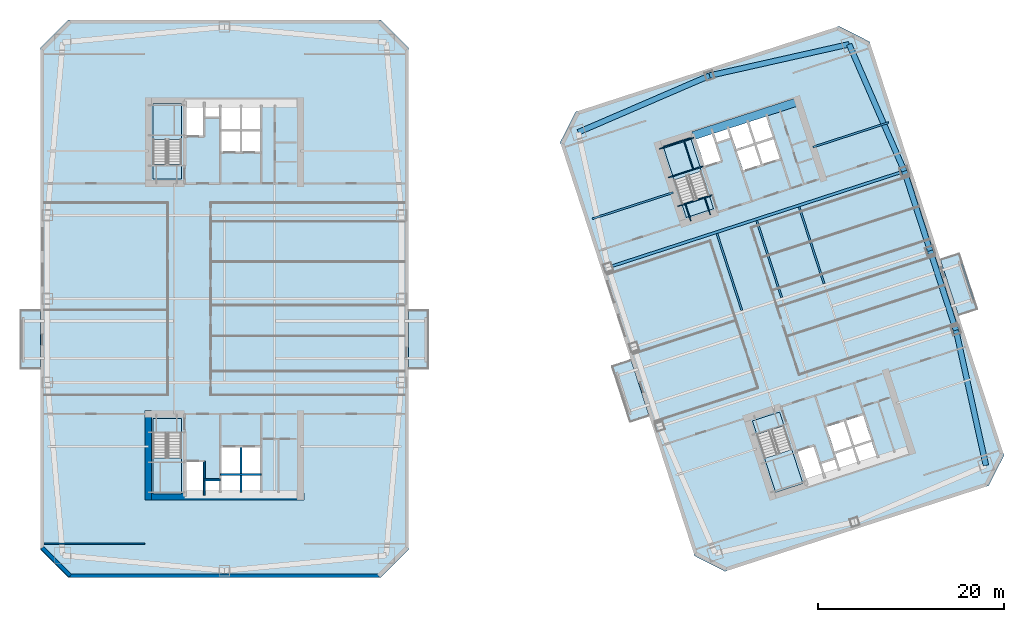
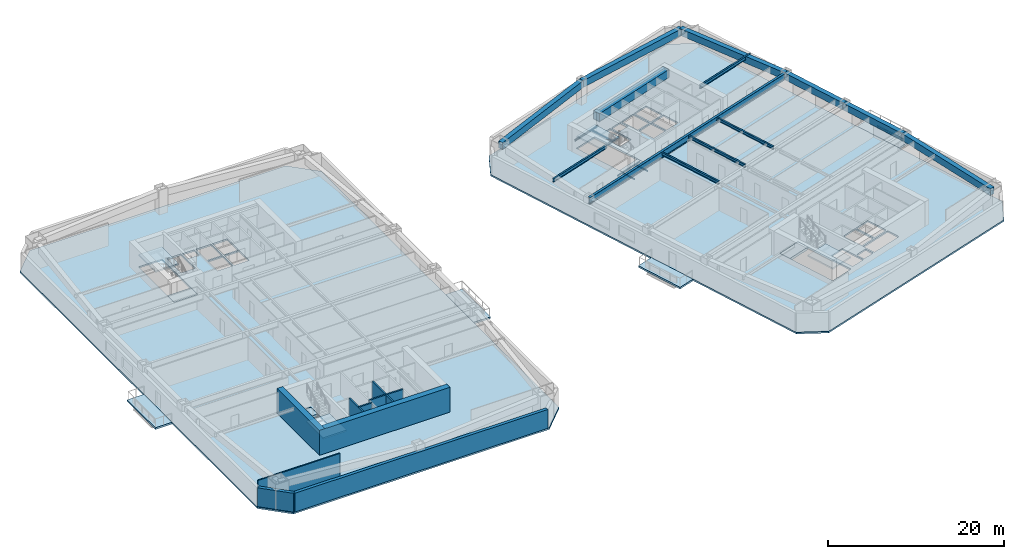
# One storey, part 4 of 15: 20 beams, 14 slabs, 9 walls, 4 elements without a shape of their own.
"""IFC4 building model written with IfcOpenShell, lengths in metres."""

import ifcopenshell
import ifcopenshell.guid

model = None  # the IFC model being written
_history = None  # IfcOwnerHistory: only IFC2X3 demands one
_inside = {}  # id of a spatial element -> (the spatial element, [elements in it])
_under = {}  # id of a project, library or spatial element -> (it, [spatial elements below it])
_declared = {}  # id of a project -> (the project, [libraries it declares])
_typed = {}  # id of a type object -> (the type object, [elements of that type])
_made_of = {}  # id of a material, layer set ... -> (it, [elements and type objects made of it])


def new_model(schema):
    """Start an empty IFC model of exactly this schema.

    Asked for "IFC4X3", IfcOpenShell would pick the latest addendum, in which some entities
    have other attributes; the version numbers below select the first issue.
    IFC2X3 requires an IfcOwnerHistory on every rooted entity: one is made here for all.
    """
    global model, _history
    if schema == "IFC4X3":
        model = ifcopenshell.file(schema_version=(4, 3, 0, 0))
    else:
        model = ifcopenshell.file(schema=schema)
    _inside.clear()
    _under.clear()
    _declared.clear()
    _typed.clear()
    _made_of.clear()
    _history = None
    if model.schema == "IFC2X3":
        org = make("IfcOrganization", Name="unknown")
        user = make(
            "IfcPersonAndOrganization",
            ThePerson=make("IfcPerson", FamilyName="unknown"),
            TheOrganization=org,
        )
        app = make(
            "IfcApplication",
            ApplicationDeveloper=org,
            Version="unknown",
            ApplicationFullName="unknown",
            ApplicationIdentifier="unknown",
        )
        _history = make(
            "IfcOwnerHistory",
            OwningUser=user,
            OwningApplication=app,
            ChangeAction="ADDED",
            CreationDate=0,
        )
    return model


def make(cls, **values):
    """One entity of the class cls with the attributes given. An attribute that is None is left unset."""
    return model.create_entity(
        cls, **{name: value for name, value in values.items() if value is not None}
    )


def rooted(cls, **values):
    """An entity with a GlobalId (a new one), such as an element, a storey or a relation."""
    return make(cls, GlobalId=ifcopenshell.guid.new(), OwnerHistory=_history, **values)


def si_unit(unit_type, name, prefix=None):
    """IfcSIUnit, for example si_unit("LENGTHUNIT", "METRE", prefix="MILLI")."""
    return make("IfcSIUnit", UnitType=unit_type, Prefix=prefix, Name=name)


def assignment(units):
    """IfcUnitAssignment: the units of a project."""
    return None if units is None else make("IfcUnitAssignment", Units=units)


def point(xyz):
    """IfcCartesianPoint."""
    return None if xyz is None else make("IfcCartesianPoint", Coordinates=xyz)


def direction(xyz):
    """IfcDirection."""
    return None if xyz is None else make("IfcDirection", DirectionRatios=xyz)


def frame(location, z_axis=None, x_axis=None):
    """IfcAxis2Placement3D, a coordinate frame: its origin and axes. An axis left out is left unset."""
    return make(
        "IfcAxis2Placement3D",
        Location=point(location),
        Axis=direction(z_axis),
        RefDirection=direction(x_axis),
    )


def frame_2d(location, x_axis=None):
    """IfcAxis2Placement2D, a coordinate frame in the plane: its origin and x axis."""
    return make(
        "IfcAxis2Placement2D", Location=point(location), RefDirection=direction(x_axis)
    )


def origin():
    """The frame at (0, 0, 0) with its axes left unset."""
    return frame((0.0, 0.0, 0.0))


def origin_2d():
    """The frame at (0, 0) in the plane with its x axis left unset."""
    return frame_2d((0.0, 0.0))


def place(relative_to, where):
    """IfcLocalPlacement: puts the frame where relative to a parent placement (None: the world)."""
    return make(
        "IfcLocalPlacement", PlacementRelTo=relative_to, RelativePlacement=where
    )


def context(
    kind, dimensions, precision=None, world=None, true_north=None, identifier=None
):
    """IfcGeometricRepresentationContext, for example the 3D "Model" context."""
    return make(
        "IfcGeometricRepresentationContext",
        ContextIdentifier=identifier,
        ContextType=kind,
        CoordinateSpaceDimension=dimensions,
        Precision=precision,
        WorldCoordinateSystem=world,
        TrueNorth=true_north,
    )


def subcontext(parent, identifier, kind, view, scale=None):
    """IfcGeometricRepresentationSubContext, for example "Body" below "Model"."""
    return make(
        "IfcGeometricRepresentationSubContext",
        ContextIdentifier=identifier,
        ContextType=kind,
        ParentContext=parent,
        TargetScale=scale,
        TargetView=view,
    )


def project(units=None, contexts=None):
    """IfcProject with its units and contexts."""
    return rooted(
        "IfcProject",
        Name="project",
        RepresentationContexts=contexts,
        UnitsInContext=assignment(units),
    )


def spatial(cls, under=None, at=None, **own):
    """A site, building, storey or space (cls), placed at a placement, below another one or the project."""
    s = rooted(cls, ObjectPlacement=at, **own)
    if under is not None:
        _under.setdefault(under.id(), (under, []))[1].append(s)
    return s


def polyline(points):
    """IfcPolyline through the points."""
    return make("IfcPolyline", Points=[point(p) for p in points])


def profile(cls, at=None, kind="AREA", **sizes):
    """A parametric profile (cls). Its sizes go by their IFC names, for example OverallWidth=200.0."""
    return make(cls, ProfileType=kind, Position=at, **sizes)


def rectangle(**sizes):
    """IfcRectangleProfileDef."""
    return profile("IfcRectangleProfileDef", **sizes)


def i_section(**sizes):
    """IfcIShapeProfileDef."""
    return profile("IfcIShapeProfileDef", **sizes)


def outline(outer, holes=None, kind="AREA"):
    """IfcArbitraryClosedProfileDef: a profile drawn as a closed curve; with holes, ...WithVoids."""
    if holes is None:
        return make("IfcArbitraryClosedProfileDef", ProfileType=kind, OuterCurve=outer)
    return make(
        "IfcArbitraryProfileDefWithVoids",
        ProfileType=kind,
        OuterCurve=outer,
        InnerCurves=holes,
    )


def extrude(swept, where, along, depth):
    """IfcExtrudedAreaSolid: the profile swept, set in the frame where, extruded along a direction by depth."""
    return make(
        "IfcExtrudedAreaSolid",
        SweptArea=swept,
        Position=where,
        ExtrudedDirection=direction(along),
        Depth=depth,
    )


def shape(context_of_items, identifier, shape_type, items):
    """IfcShapeRepresentation: the items that make up one representation, for example the "Body"."""
    return make(
        "IfcShapeRepresentation",
        ContextOfItems=context_of_items,
        RepresentationIdentifier=identifier,
        RepresentationType=shape_type,
        Items=items,
    )


def material(Name=None, Category=None):
    """IfcMaterial."""
    return make("IfcMaterial", Name=Name, Category=Category)


def layer(
    of_material, thickness, ventilated=None, Name=None, Category=None, Priority=None
):
    """IfcMaterialLayer: one layer of a wall or slab, of a material (None: an air gap)."""
    return make(
        "IfcMaterialLayer",
        Material=of_material,
        LayerThickness=thickness,
        IsVentilated=ventilated,
        Name=Name,
        Category=Category,
        Priority=Priority,
    )


def layer_set(layers, Name=None):
    """IfcMaterialLayerSet."""
    return make("IfcMaterialLayerSet", MaterialLayers=layers, LayerSetName=Name)


def material_profile(
    of_material, cross_section, Name=None, Category=None, Priority=None
):
    """IfcMaterialProfile: a cross section and its material."""
    return make(
        "IfcMaterialProfile",
        Name=Name,
        Material=of_material,
        Profile=cross_section,
        Priority=Priority,
        Category=Category,
    )


def profile_set(profiles, Name=None, composite=None):
    """IfcMaterialProfileSet."""
    return make(
        "IfcMaterialProfileSet",
        Name=Name,
        MaterialProfiles=profiles,
        CompositeProfile=composite,
    )


def made_of(thing, what):
    """Note that an element or type object is made of a material, layer set ...; save() writes the relation."""
    if what is not None:
        _made_of.setdefault(what.id(), (what, []))[1].append(thing)
    return thing


def type_object(cls, material=None, **own):
    """A type object (cls), such as IfcWallType, which elements share."""
    return made_of(rooted(cls, **own), material)


def element(
    cls,
    number,
    at=None,
    inside=None,
    cuts=None,
    type_object=None,
    material=None,
    context=None,
    identifier="Body",
    shape_type=None,
    held_by="IfcProductDefinitionShape",
    body=None,
    shapes=None,
    **own,
):
    """One element of the class cls, such as IfcWall. Its Tag is "e" and its number.

    at: its placement. inside: the storey or other place that contains it. cuts: it is an
    opening in that element (IfcRelVoidsElement). A single representation is given by context,
    identifier, shape_type and body (its items); several are given by shapes. held_by: the class
    of the entity that holds the representations. save() writes the other relations.
    """
    e = rooted(cls, Tag="e%d" % number, ObjectPlacement=at, **own)
    if body is not None:
        shapes = [shape(context, identifier, shape_type, body)]
    if shapes is not None:
        e.Representation = make(held_by, Representations=shapes)
    if inside is not None:
        _inside.setdefault(inside.id(), (inside, []))[1].append(e)
    if cuts is not None:
        rooted(
            "IfcRelVoidsElement", RelatingBuildingElement=cuts, RelatedOpeningElement=e
        )
    if type_object is not None:
        _typed.setdefault(type_object.id(), (type_object, []))[1].append(e)
    return made_of(e, material)


def aggregate(whole, parts):
    """IfcRelAggregates: a whole, such as a stair, and the parts it consists of."""
    return rooted("IfcRelAggregates", RelatingObject=whole, RelatedObjects=parts)


def save(model, path):
    """Write the relations noted so far, then the file.

    IfcRelAggregates (storeys below a building ...), IfcRelContainedInSpatialStructure (elements
    in a storey), IfcRelDefinesByType, IfcRelAssociatesMaterial and IfcRelDeclares: one each for
    every whole, place, type object, material and project.
    """
    for whole, parts in _under.values():
        aggregate(whole, parts)
    for where, things in _inside.values():
        rooted(
            "IfcRelContainedInSpatialStructure",
            RelatedElements=things,
            RelatingStructure=where,
        )
    for kind, things in _typed.values():
        rooted("IfcRelDefinesByType", RelatedObjects=things, RelatingType=kind)
    for what, things in _made_of.values():
        rooted("IfcRelAssociatesMaterial", RelatedObjects=things, RelatingMaterial=what)
    for by, libraries in _declared.values():
        rooted("IfcRelDeclares", RelatingContext=by, RelatedDefinitions=libraries)
    model.write(path)


model = new_model("IFC4")

# Units and contexts
model_context = context("Model", 3, precision=1e-05, world=origin(), true_north=direction((0.0, 1.0)))
body_context = subcontext(model_context, "Body", "Model", "MODEL_VIEW")
ifc_project = project(units=[si_unit("LENGTHUNIT", "METRE"), si_unit("AREAUNIT", "SQUARE_METRE"), si_unit("VOLUMEUNIT", "CUBIC_METRE"), si_unit("PLANEANGLEUNIT", "RADIAN"), si_unit("MASSUNIT", "GRAM", prefix="KILO")], contexts=[model_context])

# Site, building, storey
site_placement = place(None, origin())
site = spatial("IfcSite", under=ifc_project, at=site_placement, CompositionType="ELEMENT")
building_placement = place(site_placement, origin())
building = spatial("IfcBuilding", under=site, at=building_placement, Name="Qiaolan Cultural Towers", CompositionType="ELEMENT")
storey_placement = place(building_placement, frame((0.0, 0.0, 81.64990234375)))
storey = spatial("IfcBuildingStorey", under=building, at=storey_placement, Name="L20", CompositionType="ELEMENT", Elevation=81.64990234375)

# Beams
ifc_material_1 = material(Name="Steel Q355B", Category="steel")
ifc_material_profile_1 = material_profile(ifc_material_1, i_section(OverallWidth=0.300048828125, OverallDepth=0.89990234375, WebThickness=0.01611328125, FlangeThickness=0.028076171875, at=origin_2d()), Name="HN900x300x16x28")
ifc_profile_set_1 = profile_set([ifc_material_profile_1], Name="Steel Q355B")
beam_type_1 = type_object("IfcBeamType", Name="BM-HN900x300x16x28", PredefinedType="BEAM", material=ifc_profile_set_1)
beam_1_placement = place(storey_placement, frame((71.28857421875, 37.383544921875, 2.739990234375), z_axis=(0.951056559899, 0.309016860175, 0.0), x_axis=(-0.309016860175, 0.951056559899, 0.0)))
element("IfcBeam", 1, at=beam_1_placement, inside=storey, type_object=beam_type_1, Name="L20 T2 Primary Transverse Girder V3", PredefinedType="BEAM", context=body_context, shape_type="SweptSolid", body=[
    extrude(i_section(OverallWidth=0.300048828125, OverallDepth=0.89990234375, WebThickness=0.01611328125, FlangeThickness=0.028076171875, at=origin_2d()), origin(), (0.0, 0.0, 1.0), 33.5),
])
ifc_material_2 = material(Name="Steel Q355B", Category="steel")
ifc_material_profile_2 = material_profile(ifc_material_2, i_section(OverallWidth=0.175048828125, OverallDepth=0.35009765625, WebThickness=0.007080078125, FlangeThickness=0.010986328125, at=origin_2d()), Name="HN350x175x7x11")
ifc_profile_set_2 = profile_set([ifc_material_profile_2], Name="Steel Q355B")
beam_type_2 = type_object("IfcBeamType", Name="BM-JST-HN350x175x7x11", PredefinedType="JOIST", material=ifc_profile_set_2)
beam_2_placement = place(storey_placement, frame((110.57080078125, 33.95458984375, -0.52392578125), z_axis=(-0.309022586479, 0.951054699292, 0.0), x_axis=(-0.951054699292, -0.309022586479, 0.0)))
element("IfcBeam", 2, at=beam_2_placement, inside=storey, type_object=beam_type_2, Name="L20 T2 Tree Balcony Outer Edge Beam", PredefinedType="JOIST", context=body_context, shape_type="SweptSolid", body=[
    extrude(i_section(OverallWidth=0.175048828125, OverallDepth=0.35009765625, WebThickness=0.007080078125, FlangeThickness=0.010986328125, at=origin_2d()), origin(), (0.0, 0.0, 1.0), 4.0),
])
ifc_material_3 = material(Name="Steel Q355B", Category="steel")
ifc_material_profile_3 = material_profile(ifc_material_3, i_section(OverallWidth=0.199951171875, OverallDepth=0.39990234375, WebThickness=0.008056640625, FlangeThickness=0.012939453125, at=origin_2d()), Name="HN400x200x8x13")
ifc_profile_set_3 = profile_set([ifc_material_profile_3], Name="Steel Q355B")
beam_type_3 = type_object("IfcBeamType", Name="BM-JST-HN400x200x8x13", PredefinedType="JOIST", material=ifc_profile_set_3)
for number, where, z_axis, x_axis, name in (
    (3, (85.673828125, 32.752197265625, 2.989990234375), (-0.309020714809, 0.951055307445, 0.0), (-0.951055307445, -0.309020714809, 0.0), "L20 T2 Secondary Floor Joist U1-3"),
    (4, (89.95361328125, 34.142578125, 2.989990234375), (-0.309020714809, 0.951055307445, 0.0), (-0.951055307445, -0.309020714809, 0.0), "L20 T2 Secondary Floor Joist U2-3"),
    (5, (94.518798828125, 35.6259765625, 2.989990234375), (-0.309020714809, 0.951055307445, 0.0), (-0.951055307445, -0.309020714809, 0.0), "L20 T2 Secondary Floor Joist U3-3"),
):
    element("IfcBeam", number, at=place(storey_placement, frame(where, z_axis=z_axis, x_axis=x_axis)), inside=storey, type_object=beam_type_3, Name=name, PredefinedType="JOIST", context=body_context, shape_type="SweptSolid", body=[
        extrude(i_section(OverallWidth=0.199951171875, OverallDepth=0.39990234375, WebThickness=0.008056640625, FlangeThickness=0.012939453125, at=origin_2d()), origin(), (0.0, 0.0, 1.0), 8.699951171875),
    ])
ifc_material_4 = material(Name="Steel Q355B", Category="steel")
ifc_material_profile_4 = material_profile(ifc_material_4, i_section(OverallWidth=0.199951171875, OverallDepth=0.449951171875, WebThickness=0.009033203125, FlangeThickness=0.013916015625, at=origin_2d()), Name="HN450x200x9x14")
ifc_profile_set_4 = profile_set([ifc_material_profile_4], Name="Steel Q355B")
beam_type_4 = type_object("IfcBeamType", Name="BM-LNT-HN450x200x9x14", PredefinedType="LINTEL", material=ifc_profile_set_4)
beam_3_placement = place(storey_placement, frame((78.291259765625, 45.44189453125, 2.965087890625), z_axis=(-0.951052106475, -0.309030566076, 0.0), x_axis=(0.309030566076, -0.951052106475, 0.0)))
element("IfcBeam", 6, at=beam_3_placement, inside=storey, type_object=beam_type_4, Name="L20 T2 Core Flank Tie Lintel WN", PredefinedType="LINTEL", context=body_context, shape_type="SweptSolid", body=[
    extrude(i_section(OverallWidth=0.199951171875, OverallDepth=0.449951171875, WebThickness=0.009033203125, FlangeThickness=0.013916015625, at=origin_2d()), origin(), (0.0, 0.0, 1.0), 9.14990234375),
])
beam_4_placement = place(storey_placement, frame((93.31787109375, 50.32421875, 2.965087890625), z_axis=(0.951057358187, 0.309014403287, 0.0), x_axis=(-0.309014403287, 0.951057358187, 0.0)))
element("IfcBeam", 7, at=beam_4_placement, inside=storey, type_object=beam_type_4, Name="L20 T2 Core Flank Tie Lintel EN", PredefinedType="LINTEL", context=body_context, shape_type="SweptSolid", body=[
    extrude(i_section(OverallWidth=0.199951171875, OverallDepth=0.449951171875, WebThickness=0.009033203125, FlangeThickness=0.013916015625, at=origin_2d()), origin(), (0.0, 0.0, 1.0), 8.550048828125),
])
ifc_material_5 = material(Name="Concrete C50", Category="concrete")
ifc_material_profile_5 = material_profile(ifc_material_5, rectangle(XDim=0.89990234375, YDim=1.10009765625, at=origin_2d()), Name="RC900x1100")
ifc_profile_set_5 = profile_set([ifc_material_profile_5], Name="Concrete C50")
beam_type_5 = type_object("IfcBeamType", Name="BM-RC900x1100", PredefinedType="BEAM", material=ifc_profile_set_5)
beam_5_placement = place(storey_placement, frame((80.427978515625, 51.551025390625, 2.64013671875), z_axis=(0.951056266386, 0.309017763514, 0.0), x_axis=(-0.309017763514, 0.951056266386, 0.0)))
element("IfcBeam", 8, at=beam_5_placement, inside=storey, type_object=beam_type_5, Name="L20 T2 Core Header Girder N", PredefinedType="BEAM", context=body_context, shape_type="SweptSolid", body=[
    extrude(rectangle(XDim=0.89990234375, YDim=1.10009765625, at=origin_2d()), origin(), (0.0, 0.0, 1.0), 11.880126953125),
])
ifc_material_6 = material(Name="Concrete C50", Category="concrete")
ifc_material_profile_6 = material_profile(ifc_material_6, rectangle(XDim=0.60009765625, YDim=0.949951171875, at=origin_2d()), Name="RC600x950")
ifc_profile_set_6 = profile_set([ifc_material_profile_6], Name="Concrete C50")
beam_type_6 = type_object("IfcBeamType", Name="BM-SPD-RC600x950", PredefinedType="SPANDREL", material=ifc_profile_set_6)
beam_6_placement = place(storey_placement, frame((111.930908203125, 16.080078125, 2.715087890625), z_axis=(-0.216237644833, 0.976340760676, 0.0), x_axis=(-0.976340760676, -0.216237644833, 0.0)))
element("IfcBeam", 9, at=beam_6_placement, inside=storey, type_object=beam_type_6, Name="L20 T2 Perimeter Spandrel Beam 3", PredefinedType="SPANDREL", context=body_context, shape_type="SweptSolid", body=[
    extrude(rectangle(XDim=0.60009765625, YDim=0.949951171875, at=origin_2d()), origin(), (0.0, 0.0, 1.0), 14.888671875),
])
for number, where, z_axis, x_axis, name in (
    (10, (108.71142578125, 30.616455078125, 2.715087890625), (-0.309024734286, 0.951054001411, 0.0), (-0.951054001411, -0.309024734286, 0.0), "L20 T2 Perimeter Spandrel Beam 4"),
    (11, (105.93017578125, 39.176025390625, 2.715087890625), (-0.309024734286, 0.951054001411, 0.0), (-0.951054001411, -0.309024734286, 0.0), "L20 T2 Perimeter Spandrel Beam 5"),
):
    element("IfcBeam", number, at=place(storey_placement, frame(where, z_axis=z_axis, x_axis=x_axis)), inside=storey, type_object=beam_type_6, Name=name, PredefinedType="SPANDREL", context=body_context, shape_type="SweptSolid", body=[
        extrude(rectangle(XDim=0.60009765625, YDim=0.949951171875, at=origin_2d()), origin(), (0.0, 0.0, 1.0), 9.0),
    ])
beam_7_placement = place(storey_placement, frame((103.14892578125, 47.735595703125, 2.715087890625), z_axis=(-0.398920370799, 0.916985571185, 0.0), x_axis=(-0.916985571185, -0.398920370799, 0.0)))
element("IfcBeam", 12, at=beam_7_placement, inside=storey, type_object=beam_type_6, Name="L20 T2 Perimeter Spandrel Beam 6", PredefinedType="SPANDREL", context=body_context, shape_type="SweptSolid", body=[
    extrude(rectangle(XDim=0.60009765625, YDim=0.949951171875, at=origin_2d()), origin(), (0.0, 0.0, 1.0), 14.888916015625),
])
beam_8_placement = place(storey_placement, frame((97.20947265625, 61.388427734375, 2.715087890625), z_axis=(-0.975658154374, -0.219296980836, 0.0), x_axis=(0.219296980836, -0.975658154374, 0.0)))
element("IfcBeam", 13, at=beam_8_placement, inside=storey, type_object=beam_type_6, Name="L20 T2 Perimeter Spandrel Beam 7", PredefinedType="SPANDREL", context=body_context, shape_type="SweptSolid", body=[
    extrude(rectangle(XDim=0.60009765625, YDim=0.949951171875, at=origin_2d()), origin(), (0.0, 0.0, 1.0), 15.38671875),
])
beam_9_placement = place(storey_placement, frame((82.197265625, 58.01416015625, 2.715087890625), z_axis=(-0.918217549337, -0.396076422032, 0.0), x_axis=(0.396076422032, -0.918217549337, 0.0)))
element("IfcBeam", 14, at=beam_9_placement, inside=storey, type_object=beam_type_6, Name="L20 T2 Perimeter Spandrel Beam 8", PredefinedType="SPANDREL", context=body_context, shape_type="SweptSolid", body=[
    extrude(rectangle(XDim=0.60009765625, YDim=0.949951171875, at=origin_2d()), origin(), (0.0, 0.0, 1.0), 15.386474609375),
])
ifc_material_7 = material(Name="Steel Q355B", Category="steel")
ifc_material_profile_7 = material_profile(ifc_material_7, i_section(OverallWidth=0.10009765625, OverallDepth=0.199951171875, WebThickness=0.005615234375, FlangeThickness=0.008056640625, at=origin_2d()), Name="HN200x100x5.5x8")
ifc_profile_set_7 = profile_set([ifc_material_profile_7], Name="Steel Q355B")
beam_type_7 = type_object("IfcBeamType", Name="BM-STTRIM-200", PredefinedType="BEAM", material=ifc_profile_set_7)
beam_10_placement = place(storey_placement, frame((78.773193359375, 43.958251953125, -0.4599609375), z_axis=(0.951072048947, 0.3089691857, 0.0), x_axis=(-0.3089691857, 0.951072048947, 0.0)))
element("IfcBeam", 15, at=beam_10_placement, inside=storey, type_object=beam_type_7, Name="L20 ST-E2 Floor Landing Header Beam", PredefinedType="BEAM", context=body_context, shape_type="SweptSolid", body=[
    extrude(i_section(OverallWidth=0.10009765625, OverallDepth=0.199951171875, WebThickness=0.005615234375, FlangeThickness=0.008056640625, at=origin_2d()), origin(), (0.0, 0.0, 1.0), 3.920166015625),
])
for number, where, z_axis, x_axis, name in (
    (16, (80.18115234375, 42.375732421875, -0.4599609375), (-0.308969394428, 0.951071981138, 0.0), (-0.951071981138, -0.308969394428, 0.0), "L20 ST-E2 Floor Landing Stringer 1"),
    (17, (82.2734375, 43.0556640625, -0.4599609375), (-0.308969394428, 0.951071981138, 0.0), (-0.951071981138, -0.308969394428, 0.0), "L20 ST-E2 Floor Landing Stringer 2"),
):
    element("IfcBeam", number, at=place(storey_placement, frame(where, z_axis=z_axis, x_axis=x_axis)), inside=storey, type_object=beam_type_7, Name=name, PredefinedType="BEAM", context=body_context, shape_type="SweptSolid", body=[
        extrude(i_section(OverallWidth=0.10009765625, OverallDepth=0.199951171875, WebThickness=0.005615234375, FlangeThickness=0.008056640625, at=origin_2d()), origin(), (0.0, 0.0, 1.0), 1.93994140625),
    ])
for number, where, z_axis, x_axis, name in (
    (18, (77.769287109375, 47.0478515625, 1.425048828125), (0.951053746643, 0.309025518358, 0.0), (-0.309025518358, 0.951053746643, 0.0), "L20 ST-E2 Stair Landing Support Beam 1-1"),
    (19, (76.770751953125, 50.12109375, 1.425048828125), (0.951072048947, 0.3089691857, 0.0), (-0.3089691857, 0.951072048947, 0.0), "L20 ST-E2 Stair Landing Support Beam 1-2"),
):
    element("IfcBeam", number, at=place(storey_placement, frame(where, z_axis=z_axis, x_axis=x_axis)), inside=storey, type_object=beam_type_7, Name=name, PredefinedType="BEAM", context=body_context, shape_type="SweptSolid", body=[
        extrude(i_section(OverallWidth=0.10009765625, OverallDepth=0.199951171875, WebThickness=0.005615234375, FlangeThickness=0.008056640625, at=origin_2d()), origin(), (0.0, 0.0, 1.0), 3.920166015625),
    ])
beam_11_placement = place(storey_placement, frame((80.44189453125, 47.916259765625, 1.425048828125), z_axis=(-0.309033108495, 0.951051280349, 0.0), x_axis=(-0.951051280349, -0.309033108495, 0.0)))
element("IfcBeam", 20, at=beam_11_placement, inside=storey, type_object=beam_type_7, Name="L20 ST-E2 Stair Landing Trimmer 1", PredefinedType="BEAM", context=body_context, shape_type="SweptSolid", body=[
    extrude(i_section(OverallWidth=0.10009765625, OverallDepth=0.199951171875, WebThickness=0.005615234375, FlangeThickness=0.008056640625, at=origin_2d()), origin(), (0.0, 0.0, 1.0), 3.231201171875),
])

# Slabs
ifc_material_8 = material(Name="Concrete C45", Category="concrete")
ifc_layer_1 = layer(ifc_material_8, 0.239990234375)
ifc_layer_set_1 = layer_set([ifc_layer_1], Name="Concrete C45")
slab_type_1 = type_object("IfcSlabType", Name="SL-BAL-240", PredefinedType="FLOOR", material=ifc_layer_set_1)
slab_1_placement = place(storey_placement, frame((0.0, 0.0, -0.239990234375)))
element("IfcSlab", 21, at=slab_1_placement, inside=storey, type_object=slab_type_1, Name="L20 T1 Planted Tree Balcony W", PredefinedType="FLOOR", context=body_context, shape_type="SweptSolid", body=[
    extrude(outline(polyline([(8.0, 26.39990234375), (10.199951171875, 26.39990234375), (10.199951171875, 32.800048828125), (8.0, 32.800048828125), (8.0, 26.39990234375)])), origin(), (0.0, 0.0, 1.0), 0.239990234375),
])
slab_2_placement = place(storey_placement, frame((0.0, 0.0, -0.239990234375)))
element("IfcSlab", 22, at=slab_2_placement, inside=storey, type_object=slab_type_1, Name="L20 T1 Planted Tree Balcony E", PredefinedType="FLOOR", context=body_context, shape_type="SweptSolid", body=[
    extrude(outline(polyline([(49.800048828125, 26.39990234375), (52.0, 26.39990234375), (52.0, 32.800048828125), (49.800048828125, 32.800048828125), (49.800048828125, 26.39990234375)])), origin(), (0.0, 0.0, 1.0), 0.239990234375),
])
slab_3_placement = place(storey_placement, frame((0.0, 0.0, -0.239990234375)))
element("IfcSlab", 23, at=slab_3_placement, inside=storey, type_object=slab_type_1, Name="L20 T2 Planted Tree Balcony W", PredefinedType="FLOOR", context=body_context, shape_type="SweptSolid", body=[
    extrude(outline(polyline([(73.61279296875, 20.684326171875), (75.705078125, 21.3642578125), (73.727294921875, 27.450927734375), (71.635009765625, 26.77099609375), (73.61279296875, 20.684326171875)])), origin(), (0.0, 0.0, 1.0), 0.239990234375),
])
slab_4_placement = place(storey_placement, frame((0.0, 0.0, -0.239990234375)))
element("IfcSlab", 24, at=slab_4_placement, inside=storey, type_object=slab_type_1, Name="L20 T2 Planted Tree Balcony E", PredefinedType="FLOOR", context=body_context, shape_type="SweptSolid", body=[
    extrude(outline(polyline([(108.991943359375, 32.1796875), (111.084228515625, 32.859619140625), (109.106689453125, 38.9462890625), (107.014404296875, 38.2666015625), (108.991943359375, 32.1796875)])), origin(), (0.0, 0.0, 1.0), 0.239990234375),
])

# Stair, slab
ifc_material_9 = material(Name="Concrete C45", Category="concrete")
stair_type = type_object("IfcStairType", Name="STR-CORE-1500", PredefinedType="HALF_TURN_STAIR", material=ifc_material_9)
stair_1_placement = place(storey_placement, origin())
stair_1 = element("IfcStair", 25, at=stair_1_placement, inside=storey, type_object=stair_type, Name="L20 Smokeproof Exit Stair ST-W1", PredefinedType="HALF_TURN_STAIR")
ifc_material_10 = material(Name="Concrete C45", Category="concrete")
ifc_layer_2 = layer(ifc_material_10, 0.199951171875)
ifc_layer_set_2 = layer_set([ifc_layer_2], Name="Concrete C45")
slab_type_2 = type_object("IfcSlabType", Name="SL-STAIR-LAND", PredefinedType="LANDING", material=ifc_layer_set_2)
slab_5_placement = place(storey_placement, frame((0.0, 0.0, 1.525146484375)))
slab_5 = element("IfcSlab", 26, at=slab_5_placement, type_object=slab_type_2, Name="ST-W1 landing 1", PredefinedType="LANDING", context=body_context, shape_type="SweptSolid", body=[
    extrude(outline(polyline([(22.300048828125, 16.851318359375), (22.300048828125, 13.0), (25.3798828125, 13.0), (25.3798828125, 16.851318359375), (22.300048828125, 16.851318359375)])), origin(), (0.0, 0.0, 1.0), 0.199951171875),
])
aggregate(stair_1, [slab_5])

stair_2_placement = place(storey_placement, origin())
stair_2 = element("IfcStair", 27, at=stair_2_placement, inside=storey, type_object=stair_type, Name="L20 Smokeproof Exit Stair ST-W2", PredefinedType="HALF_TURN_STAIR")
slab_6_placement = place(storey_placement, frame((0.0, 0.0, 1.525146484375)))
slab_6 = element("IfcSlab", 28, at=slab_6_placement, type_object=slab_type_2, Name="ST-W2 landing 1", PredefinedType="LANDING", context=body_context, shape_type="SweptSolid", body=[
    extrude(outline(polyline([(25.3798828125, 51.148681640625), (25.3798828125, 55.0), (22.300048828125, 55.0), (22.300048828125, 51.148681640625), (25.3798828125, 51.148681640625)])), origin(), (0.0, 0.0, 1.0), 0.199951171875),
])
aggregate(stair_2, [slab_6])

stair_3_placement = place(storey_placement, origin())
stair_3 = element("IfcStair", 29, at=stair_3_placement, inside=storey, type_object=stair_type, Name="L20 Smokeproof Exit Stair ST-E1", PredefinedType="HALF_TURN_STAIR")
slab_7_placement = place(storey_placement, frame((0.0, 0.0, 1.525146484375)))
slab_7 = element("IfcSlab", 30, at=slab_7_placement, type_object=slab_type_2, Name="ST-E1 landing 1", PredefinedType="LANDING", context=body_context, shape_type="SweptSolid", body=[
    extrude(outline(polyline([(88.114013671875, 16.828125), (89.30419921875, 13.165283203125), (92.2333984375, 14.116943359375), (91.04345703125, 17.77978515625), (88.114013671875, 16.828125)])), origin(), (0.0, 0.0, 1.0), 0.199951171875),
])
aggregate(stair_3, [slab_7])

stair_4_placement = place(storey_placement, origin())
stair_4 = element("IfcStair", 31, at=stair_4_placement, inside=storey, type_object=stair_type, Name="L20 Smokeproof Exit Stair ST-E2", PredefinedType="HALF_TURN_STAIR")
slab_8_placement = place(storey_placement, frame((0.0, 0.0, 1.525146484375)))
slab_8 = element("IfcSlab", 32, at=slab_8_placement, type_object=slab_type_2, Name="ST-E2 landing 1", PredefinedType="LANDING", context=body_context, shape_type="SweptSolid", body=[
    extrude(outline(polyline([(81.31005859375, 47.735595703125), (80.1201171875, 51.3984375), (77.190673828125, 50.44677734375), (78.380859375, 46.783935546875), (81.31005859375, 47.735595703125)])), origin(), (0.0, 0.0, 1.0), 0.199951171875),
])
aggregate(stair_4, [slab_8])

# Slabs
ifc_material_11 = material(Name="Concrete C40", Category="concrete")
ifc_layer_3 = layer(ifc_material_11, 0.360107421875)
ifc_layer_set_3 = layer_set([ifc_layer_3], Name="Concrete C40")
slab_type_3 = type_object("IfcSlabType", Name="SL-STFLR-360", PredefinedType="LANDING", material=ifc_layer_set_3)
slab_9_placement = place(storey_placement, frame((0.0, 0.0, -0.35986328125)))
element("IfcSlab", 33, at=slab_9_placement, inside=storey, type_object=slab_type_3, Name="L20 ST-W1 Stair Floor Landing Slab", PredefinedType="LANDING", context=body_context, shape_type="SweptSolid", body=[
    extrude(outline(polyline([(22.302001953125, 21.097900390625), (22.302001953125, 19.548583984375), (25.3779296875, 19.548583984375), (25.3779296875, 21.097900390625), (22.302001953125, 21.097900390625)])), origin(), (0.0, 0.0, 1.0), 0.35986328125),
])
slab_10_placement = place(storey_placement, frame((0.0, 0.0, -0.35986328125)))
element("IfcSlab", 34, at=slab_10_placement, inside=storey, type_object=slab_type_3, Name="L20 ST-W2 Stair Floor Landing Slab", PredefinedType="LANDING", context=body_context, shape_type="SweptSolid", body=[
    extrude(outline(polyline([(25.3779296875, 46.902099609375), (25.3779296875, 48.451416015625), (22.302001953125, 48.451416015625), (22.302001953125, 46.902099609375), (25.3779296875, 46.902099609375)])), origin(), (0.0, 0.0, 1.0), 0.35986328125),
])
slab_11_placement = place(storey_placement, frame((0.0, 0.0, -0.35986328125)))
element("IfcSlab", 35, at=slab_11_placement, inside=storey, type_object=slab_type_3, Name="L20 ST-E1 Stair Floor Landing Slab", PredefinedType="LANDING", context=body_context, shape_type="SweptSolid", body=[
    extrude(outline(polyline([(86.8037109375, 20.867431640625), (87.282470703125, 19.39404296875), (90.2080078125, 20.3447265625), (89.729248046875, 21.818115234375), (86.8037109375, 20.867431640625)])), origin(), (0.0, 0.0, 1.0), 0.35986328125),
])
slab_12_placement = place(storey_placement, frame((0.0, 0.0, -0.35986328125)))
element("IfcSlab", 36, at=slab_12_placement, inside=storey, type_object=slab_type_3, Name="L20 ST-E2 Stair Floor Landing Slab", PredefinedType="LANDING", context=body_context, shape_type="SweptSolid", body=[
    extrude(outline(polyline([(82.62060546875, 43.6962890625), (82.141845703125, 45.169677734375), (79.21630859375, 44.21923828125), (79.695068359375, 42.74560546875), (82.62060546875, 43.6962890625)])), origin(), (0.0, 0.0, 1.0), 0.35986328125),
])
ifc_material_12 = material(Name="Concrete C45", Category="concrete")
ifc_layer_4 = layer(ifc_material_12, 0.219970703125)
ifc_layer_set_4 = layer_set([ifc_layer_4], Name="Concrete C45")
slab_type_4 = type_object("IfcSlabType", Name="SL-TYP-220", PredefinedType="FLOOR", material=ifc_layer_set_4)
slab_13_placement = place(storey_placement, frame((0.0, 0.0, -0.219970703125)))
element("IfcSlab", 37, at=slab_13_placement, inside=storey, type_object=slab_type_4, Name="L20 West Tower Floor Slab", PredefinedType="FLOOR", context=body_context, shape_type="SweptSolid", body=[
    extrude(outline(polyline([(13.199951171875, 4.0), (46.800048828125, 4.0), (49.800048828125, 7.0), (49.800048828125, 61.0), (46.800048828125, 64.0), (13.199951171875, 64.0), (10.199951171875, 61.0), (10.199951171875, 7.0), (13.199951171875, 4.0)]), holes=[polyline([(22.300048828125, 21.10009765625), (22.300048828125, 13.0), (25.3798828125, 13.0), (25.3798828125, 21.10009765625), (22.300048828125, 21.10009765625)]), polyline([(25.3798828125, 46.89990234375), (25.3798828125, 55.0), (22.300048828125, 55.0), (22.300048828125, 46.89990234375), (25.3798828125, 46.89990234375)]), polyline([(25.89990234375, 13.199951171875), (27.75, 13.199951171875), (27.75, 16.449951171875), (25.89990234375, 16.449951171875), (25.89990234375, 13.199951171875)]), polyline([(27.93994140625, 13.25), (29.449951171875, 13.25), (29.449951171875, 14.419921875), (27.93994140625, 14.419921875), (27.93994140625, 13.25)]), polyline([(29.679931640625, 15.199951171875), (31.679931640625, 15.199951171875), (31.679931640625, 18.0), (29.679931640625, 18.0), (29.679931640625, 15.199951171875)]), polyline([(31.8798828125, 15.199951171875), (33.820068359375, 15.199951171875), (33.820068359375, 18.0), (31.8798828125, 18.0), (31.8798828125, 15.199951171875)]), polyline([(29.679931640625, 13.25), (33.820068359375, 13.25), (33.820068359375, 14.97998046875), (29.679931640625, 14.97998046875), (29.679931640625, 13.25)]), polyline([(25.89990234375, 51.550048828125), (27.75, 51.550048828125), (27.75, 54.800048828125), (25.89990234375, 54.800048828125), (25.89990234375, 51.550048828125)]), polyline([(27.93994140625, 53.580078125), (29.449951171875, 53.580078125), (29.449951171875, 54.75), (27.93994140625, 54.75), (27.93994140625, 53.580078125)]), polyline([(29.679931640625, 49.820068359375), (31.679931640625, 49.820068359375), (31.679931640625, 52.080078125), (29.679931640625, 52.080078125), (29.679931640625, 49.820068359375)]), polyline([(31.8798828125, 49.820068359375), (33.820068359375, 49.820068359375), (33.820068359375, 52.080078125), (31.8798828125, 52.080078125), (31.8798828125, 49.820068359375)]), polyline([(29.679931640625, 52.27001953125), (31.659912109375, 52.27001953125), (31.659912109375, 54.75), (29.679931640625, 54.75), (29.679931640625, 52.27001953125)]), polyline([(31.8798828125, 52.27001953125), (33.820068359375, 52.27001953125), (33.820068359375, 54.75), (31.8798828125, 54.75), (31.8798828125, 52.27001953125)])]), origin(), (0.0, 0.0, 1.0), 0.219970703125),
])
slab_14_placement = place(storey_placement, frame((0.0, 0.0, -0.219970703125)))
element("IfcSlab", 38, at=slab_14_placement, inside=storey, type_object=slab_type_4, Name="L20 East Tower Floor Slab", PredefinedType="FLOOR", context=body_context, shape_type="SweptSolid", body=[
    extrude(outline(polyline([(83.86376953125, 4.668212890625), (112.205078125, 13.876953125), (113.87451171875, 17.153076171875), (99.41259765625, 61.66259765625), (96.13623046875, 63.331787109375), (67.794921875, 54.123046875), (66.12548828125, 50.846923828125), (80.58740234375, 6.33740234375), (83.86376953125, 4.668212890625)]), holes=[polyline([(86.80126953125, 20.868896484375), (89.30419921875, 13.165283203125), (92.2333984375, 14.116943359375), (89.73046875, 21.820556640625), (86.80126953125, 20.868896484375)]), polyline([(82.623046875, 43.69482421875), (80.1201171875, 51.3984375), (77.190673828125, 50.44677734375), (79.69384765625, 42.7431640625), (82.623046875, 43.69482421875)]), polyline([(92.666259765625, 14.468017578125), (94.42578125, 15.03955078125), (93.42138671875, 18.130615234375), (91.661865234375, 17.558837890625), (92.666259765625, 14.468017578125)]), polyline([(94.5908203125, 15.14599609375), (96.027099609375, 15.612548828125), (95.66552734375, 16.725341796875), (94.2294921875, 16.258544921875), (94.5908203125, 15.14599609375)]), polyline([(95.643310546875, 17.5380859375), (97.54541015625, 18.15625), (96.68017578125, 20.819091796875), (94.77783203125, 20.201171875), (95.643310546875, 17.5380859375)]), polyline([(97.735595703125, 18.218017578125), (99.58056640625, 18.8173828125), (98.71533203125, 21.48046875), (96.870361328125, 20.880859375), (97.735595703125, 18.218017578125)]), polyline([(96.245849609375, 15.68359375), (100.18310546875, 16.962890625), (99.6484375, 18.608154296875), (95.711181640625, 17.328857421875), (96.245849609375, 15.68359375)]), polyline([(81.6806640625, 48.278076171875), (83.440185546875, 48.849609375), (82.435791015625, 51.940673828125), (80.67626953125, 51.368896484375), (81.6806640625, 48.278076171875)]), polyline([(82.993408203125, 50.839111328125), (84.4296875, 51.3056640625), (84.068115234375, 52.41845703125), (82.632080078125, 51.95166015625), (82.993408203125, 50.839111328125)]), polyline([(85.810302734375, 47.80078125), (87.71240234375, 48.418701171875), (87.013916015625, 50.568115234375), (85.11181640625, 49.9501953125), (85.810302734375, 47.80078125)]), polyline([(87.902587890625, 48.480712890625), (89.74755859375, 49.080078125), (89.04931640625, 51.2294921875), (87.2041015625, 50.6298828125), (87.902587890625, 48.480712890625)]), polyline([(85.05322265625, 50.130859375), (86.936279296875, 50.74267578125), (86.169921875, 53.101318359375), (84.286865234375, 52.489501953125), (85.05322265625, 50.130859375)]), polyline([(87.1455078125, 50.810791015625), (88.990478515625, 51.41015625), (88.22412109375, 53.768798828125), (86.379150390625, 53.169189453125), (87.1455078125, 50.810791015625)])]), origin(), (0.0, 0.0, 1.0), 0.219970703125),
])

# Walls
ifc_material_13 = material(Name="Concrete C60", Category="concrete")
ifc_layer_5 = layer(ifc_material_13, 0.75)
ifc_layer_set_5 = layer_set([ifc_layer_5], Name="Concrete C60")
wall_type_1 = type_object("IfcWallType", Name="WL-CORE-750", PredefinedType="SHEAR", material=ifc_layer_set_5)
wall_1_placement = place(storey_placement, frame((21.425048828125, 12.719970703125, 0.0), z_axis=(0.0, 0.0, 1.0), x_axis=(1.0, 0.0, 0.0)))
element("IfcWall", 39, at=wall_1_placement, inside=storey, type_object=wall_type_1, Name="L20 T1-CS Outer Core Shear Wall", PredefinedType="SHEAR", context=body_context, shape_type="SweptSolid", body=[
    extrude(rectangle(XDim=17.14990234375, YDim=0.75, at=frame_2d((8.574951171875, 0.0))), origin(), (0.0, 0.0, 1.0), 3.4501953125),
])
wall_2_placement = place(storey_placement, frame((21.800048828125, 21.97509765625, 0.0), z_axis=(0.0, 0.0, 1.0), x_axis=(0.0, -1.0, 0.0)))
element("IfcWall", 40, at=wall_2_placement, inside=storey, type_object=wall_type_1, Name="L20 T1-CS West Core Shear Wall", PredefinedType="SHEAR", context=body_context, shape_type="SweptSolid", body=[
    extrude(rectangle(XDim=9.630126953125, YDim=0.75, at=frame_2d((4.81494140625, 0.0))), origin(), (0.0, 0.0, 1.0), 3.4501953125),
])
ifc_material_14 = material(Name="Precast Concrete C50 Honed Stone Pier", Category="masonry")
ifc_layer_6 = layer(ifc_material_14, 0.39990234375)
ifc_layer_set_6 = layer_set([ifc_layer_6], Name="Precast Concrete C50 Honed Stone Pier")
wall_type_2 = type_object("IfcWallType", Name="WL-EXT-PIER-400", PredefinedType="SOLIDWALL", material=ifc_layer_set_6)
wall_3_placement = place(storey_placement, frame((46.60009765625, 4.199951171875, 0.0), z_axis=(0.0, 0.0, 1.0), x_axis=(-1.0, 0.0, 0.0)))
element("IfcWall", 41, at=wall_3_placement, inside=storey, type_object=wall_type_2, Name="L20 West Tower Precast Pier Facade Wall F7", PredefinedType="SOLIDWALL", context=body_context, shape_type="SweptSolid", body=[
    extrude(rectangle(XDim=33.2001953125, YDim=0.39990234375, at=frame_2d((16.60009765625, 0.0))), origin(), (0.0, 0.0, 1.0), 2.610107421875),
])
wall_4_placement = place(storey_placement, frame((13.39990234375, 4.199951171875, 0.0), z_axis=(0.0, 0.0, 1.0), x_axis=(-0.707106781187, 0.707106781187, 0.0)))
element("IfcWall", 42, at=wall_4_placement, inside=storey, type_object=wall_type_2, Name="L20 West Tower Precast Pier Facade Wall F8", PredefinedType="SOLIDWALL", context=body_context, shape_type="SweptSolid", body=[
    extrude(rectangle(XDim=4.24267578125, YDim=0.39990234375, at=frame_2d((2.121337890625, 0.0))), origin(), (0.0, 0.0, 1.0), 2.610107421875),
])
ifc_material_15 = material(Name="Concrete C35 Fire Wall", Category="concrete")
ifc_layer_7 = layer(ifc_material_15, 0.199951171875)
ifc_layer_set_7 = layer_set([ifc_layer_7], Name="Concrete C35 Fire Wall")
wall_type_3 = type_object("IfcWallType", Name="WL-FIRE-200", PredefinedType="PARTITIONING", material=ifc_layer_set_7)
wall_5_placement = place(storey_placement, frame((27.820068359375, 16.550048828125, 0.0), z_axis=(0.0, 0.0, 1.0), x_axis=(0.0, -1.0, 0.0)))
element("IfcWall", 43, at=wall_5_placement, inside=storey, type_object=wall_type_3, Name="L20 T1-CS Firefighting Hoistway East Wall", PredefinedType="PARTITIONING", context=body_context, shape_type="SweptSolid", body=[
    extrude(rectangle(XDim=3.699951171875, YDim=0.199951171875, at=frame_2d((1.85009765625, 0.0))), origin(), (0.0, 0.0, 1.0), 3.175048828125),
])
wall_6_placement = place(storey_placement, frame((27.820068359375, 14.52001953125, 0.0), z_axis=(0.0, 0.0, 1.0), x_axis=(1.0, 0.0, 0.0)))
element("IfcWall", 44, at=wall_6_placement, inside=storey, type_object=wall_type_3, Name="L20 T1-CS Pressurization Shaft Front Wall", PredefinedType="PARTITIONING", context=body_context, shape_type="SweptSolid", body=[
    extrude(rectangle(XDim=1.72998046875, YDim=0.199951171875, at=frame_2d((0.864990234375, 0.0))), origin(), (0.0, 0.0, 1.0), 3.175048828125),
])
wall_7_placement = place(storey_placement, frame((31.780029296875, 18.1201171875, 0.0), z_axis=(0.0, 0.0, 1.0), x_axis=(0.0, -1.0, 0.0)))
element("IfcWall", 45, at=wall_7_placement, inside=storey, type_object=wall_type_3, Name="L20 T1-CS Lift Shaft Divider Wall", PredefinedType="PARTITIONING", context=body_context, shape_type="SweptSolid", body=[
    extrude(rectangle(XDim=4.9501953125, YDim=0.199951171875, at=frame_2d((2.47509765625, 0.0))), origin(), (0.0, 0.0, 1.0), 3.175048828125),
])
wall_8_placement = place(storey_placement, frame((29.550048828125, 15.10009765625, 0.0), z_axis=(0.0, 0.0, 1.0), x_axis=(1.0, 0.0, 0.0)))
element("IfcWall", 46, at=wall_8_placement, inside=storey, type_object=wall_type_3, Name="L20 T1-CS Passenger Lift Shaft Back Wall", PredefinedType="PARTITIONING", context=body_context, shape_type="SweptSolid", body=[
    extrude(rectangle(XDim=4.39990234375, YDim=0.199951171875, at=frame_2d((2.199951171875, 0.0))), origin(), (0.0, 0.0, 1.0), 3.175048828125),
])
ifc_material_16 = material(Name="Autoclaved Aerated Concrete Block B06", Category="concrete")
ifc_layer_8 = layer(ifc_material_16, 0.14990234375)
ifc_layer_set_8 = layer_set([ifc_layer_8], Name="Autoclaved Aerated Concrete Block B06")
wall_type_4 = type_object("IfcWallType", Name="WL-PART-150", PredefinedType="PARTITIONING", material=ifc_layer_set_8)
wall_9_placement = place(storey_placement, frame((10.60009765625, 7.64990234375, 0.0), z_axis=(0.0, 0.0, 1.0), x_axis=(1.0, 0.0, 0.0)))
element("IfcWall", 47, at=wall_9_placement, inside=storey, type_object=wall_type_4, Name="L20 T1 Flank Wall FLK-SW", PredefinedType="PARTITIONING", context=body_context, shape_type="SweptSolid", body=[
    extrude(rectangle(XDim=10.7998046875, YDim=0.14990234375, at=frame_2d((5.39990234375, 0.0))), origin(), (0.0, 0.0, 1.0), 3.175048828125),
])

save(model, "model.ifc")
